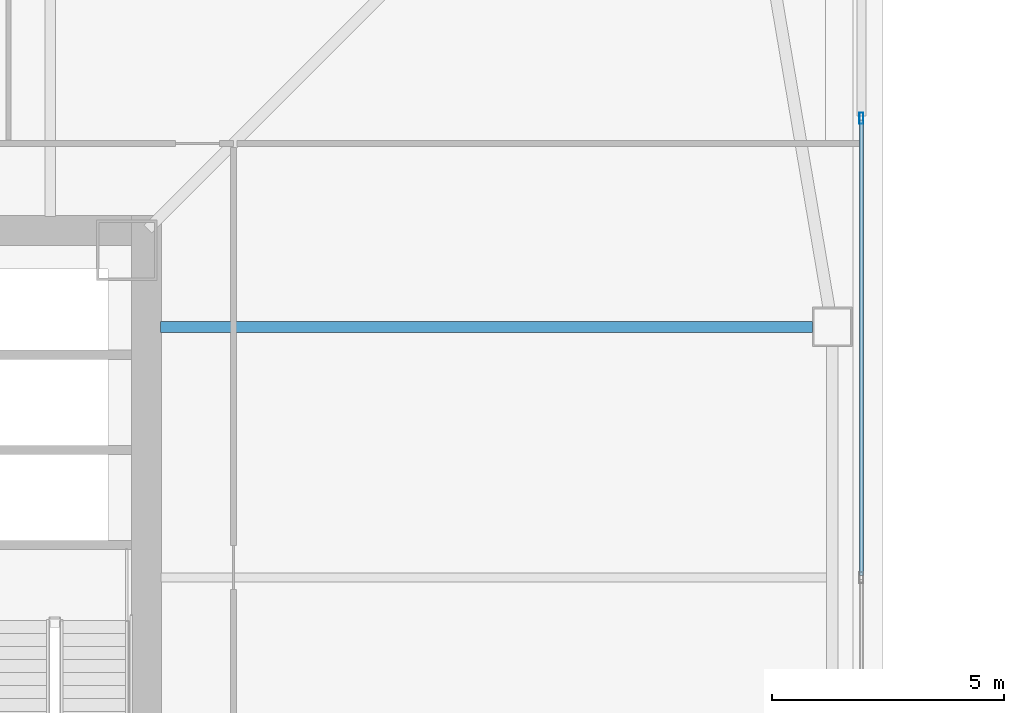
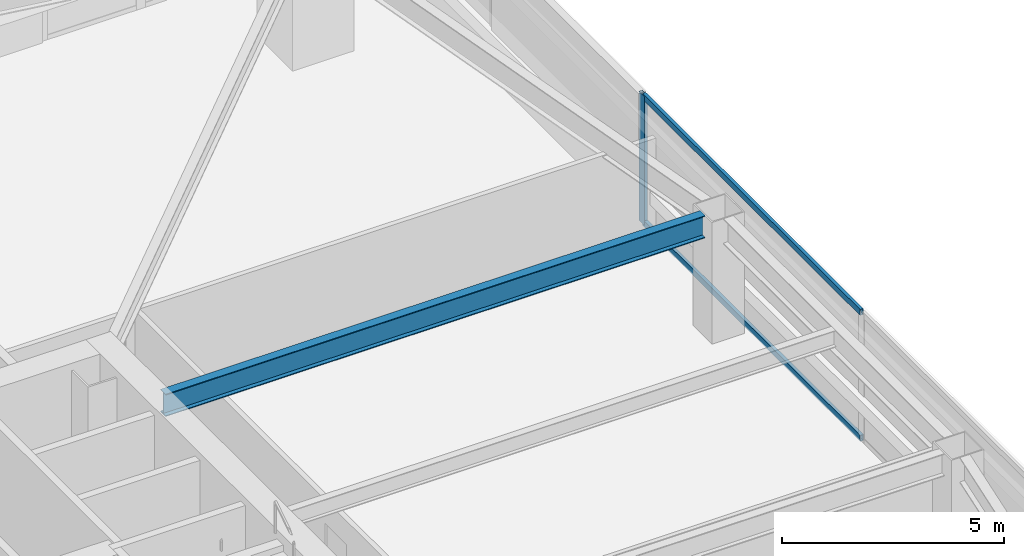
# One storey, part 17 of 51: 3 members, 1 beam, 1 element without a shape of its own.
"""IFC4 building model written with IfcOpenShell, lengths in metres."""

import ifcopenshell
import ifcopenshell.guid

model = None  # the IFC model being written
_history = None  # IfcOwnerHistory: only IFC2X3 demands one
_inside = {}  # id of a spatial element -> (the spatial element, [elements in it])
_under = {}  # id of a project, library or spatial element -> (it, [spatial elements below it])
_declared = {}  # id of a project -> (the project, [libraries it declares])
_typed = {}  # id of a type object -> (the type object, [elements of that type])
_made_of = {}  # id of a material, layer set ... -> (it, [elements and type objects made of it])


def new_model(schema):
    """Start an empty IFC model of exactly this schema.

    Asked for "IFC4X3", IfcOpenShell would pick the latest addendum, in which some entities
    have other attributes; the version numbers below select the first issue.
    IFC2X3 requires an IfcOwnerHistory on every rooted entity: one is made here for all.
    """
    global model, _history
    if schema == "IFC4X3":
        model = ifcopenshell.file(schema_version=(4, 3, 0, 0))
    else:
        model = ifcopenshell.file(schema=schema)
    _inside.clear()
    _under.clear()
    _declared.clear()
    _typed.clear()
    _made_of.clear()
    _history = None
    if model.schema == "IFC2X3":
        org = make("IfcOrganization", Name="unknown")
        user = make(
            "IfcPersonAndOrganization",
            ThePerson=make("IfcPerson", FamilyName="unknown"),
            TheOrganization=org,
        )
        app = make(
            "IfcApplication",
            ApplicationDeveloper=org,
            Version="unknown",
            ApplicationFullName="unknown",
            ApplicationIdentifier="unknown",
        )
        _history = make(
            "IfcOwnerHistory",
            OwningUser=user,
            OwningApplication=app,
            ChangeAction="ADDED",
            CreationDate=0,
        )
    return model


def make(cls, **values):
    """One entity of the class cls with the attributes given. An attribute that is None is left unset."""
    return model.create_entity(
        cls, **{name: value for name, value in values.items() if value is not None}
    )


def rooted(cls, **values):
    """An entity with a GlobalId (a new one), such as an element, a storey or a relation."""
    return make(cls, GlobalId=ifcopenshell.guid.new(), OwnerHistory=_history, **values)


def si_unit(unit_type, name, prefix=None):
    """IfcSIUnit, for example si_unit("LENGTHUNIT", "METRE", prefix="MILLI")."""
    return make("IfcSIUnit", UnitType=unit_type, Prefix=prefix, Name=name)


def assignment(units):
    """IfcUnitAssignment: the units of a project."""
    return None if units is None else make("IfcUnitAssignment", Units=units)


def point(xyz):
    """IfcCartesianPoint."""
    return None if xyz is None else make("IfcCartesianPoint", Coordinates=xyz)


def direction(xyz):
    """IfcDirection."""
    return None if xyz is None else make("IfcDirection", DirectionRatios=xyz)


def frame(location, z_axis=None, x_axis=None):
    """IfcAxis2Placement3D, a coordinate frame: its origin and axes. An axis left out is left unset."""
    return make(
        "IfcAxis2Placement3D",
        Location=point(location),
        Axis=direction(z_axis),
        RefDirection=direction(x_axis),
    )


def frame_2d(location, x_axis=None):
    """IfcAxis2Placement2D, a coordinate frame in the plane: its origin and x axis."""
    return make(
        "IfcAxis2Placement2D", Location=point(location), RefDirection=direction(x_axis)
    )


def origin():
    """The frame at (0, 0, 0) with its axes left unset."""
    return frame((0.0, 0.0, 0.0))


def origin_2d():
    """The frame at (0, 0) in the plane with its x axis left unset."""
    return frame_2d((0.0, 0.0))


def place(relative_to, where):
    """IfcLocalPlacement: puts the frame where relative to a parent placement (None: the world)."""
    return make(
        "IfcLocalPlacement", PlacementRelTo=relative_to, RelativePlacement=where
    )


def context(
    kind, dimensions, precision=None, world=None, true_north=None, identifier=None
):
    """IfcGeometricRepresentationContext, for example the 3D "Model" context."""
    return make(
        "IfcGeometricRepresentationContext",
        ContextIdentifier=identifier,
        ContextType=kind,
        CoordinateSpaceDimension=dimensions,
        Precision=precision,
        WorldCoordinateSystem=world,
        TrueNorth=true_north,
    )


def subcontext(parent, identifier, kind, view, scale=None):
    """IfcGeometricRepresentationSubContext, for example "Body" below "Model"."""
    return make(
        "IfcGeometricRepresentationSubContext",
        ContextIdentifier=identifier,
        ContextType=kind,
        ParentContext=parent,
        TargetScale=scale,
        TargetView=view,
    )


def project(units=None, contexts=None):
    """IfcProject with its units and contexts."""
    return rooted(
        "IfcProject",
        Name="project",
        RepresentationContexts=contexts,
        UnitsInContext=assignment(units),
    )


def spatial(cls, under=None, at=None, **own):
    """A site, building, storey or space (cls), placed at a placement, below another one or the project."""
    s = rooted(cls, ObjectPlacement=at, **own)
    if under is not None:
        _under.setdefault(under.id(), (under, []))[1].append(s)
    return s


def profile(cls, at=None, kind="AREA", **sizes):
    """A parametric profile (cls). Its sizes go by their IFC names, for example OverallWidth=200.0."""
    return make(cls, ProfileType=kind, Position=at, **sizes)


def hollow_rectangle(**sizes):
    """IfcRectangleHollowProfileDef."""
    return profile("IfcRectangleHollowProfileDef", **sizes)


def i_section(**sizes):
    """IfcIShapeProfileDef."""
    return profile("IfcIShapeProfileDef", **sizes)


def extrude(swept, where, along, depth):
    """IfcExtrudedAreaSolid: the profile swept, set in the frame where, extruded along a direction by depth."""
    return make(
        "IfcExtrudedAreaSolid",
        SweptArea=swept,
        Position=where,
        ExtrudedDirection=direction(along),
        Depth=depth,
    )


def shape(context_of_items, identifier, shape_type, items):
    """IfcShapeRepresentation: the items that make up one representation, for example the "Body"."""
    return make(
        "IfcShapeRepresentation",
        ContextOfItems=context_of_items,
        RepresentationIdentifier=identifier,
        RepresentationType=shape_type,
        Items=items,
    )


def material(Name=None, Category=None):
    """IfcMaterial."""
    return make("IfcMaterial", Name=Name, Category=Category)


def material_profile(
    of_material, cross_section, Name=None, Category=None, Priority=None
):
    """IfcMaterialProfile: a cross section and its material."""
    return make(
        "IfcMaterialProfile",
        Name=Name,
        Material=of_material,
        Profile=cross_section,
        Priority=Priority,
        Category=Category,
    )


def profile_set(profiles, Name=None, composite=None):
    """IfcMaterialProfileSet."""
    return make(
        "IfcMaterialProfileSet",
        Name=Name,
        MaterialProfiles=profiles,
        CompositeProfile=composite,
    )


def made_of(thing, what):
    """Note that an element or type object is made of a material, layer set ...; save() writes the relation."""
    if what is not None:
        _made_of.setdefault(what.id(), (what, []))[1].append(thing)
    return thing


def type_object(cls, material=None, **own):
    """A type object (cls), such as IfcWallType, which elements share."""
    return made_of(rooted(cls, **own), material)


def element(
    cls,
    number,
    at=None,
    inside=None,
    cuts=None,
    type_object=None,
    material=None,
    context=None,
    identifier="Body",
    shape_type=None,
    held_by="IfcProductDefinitionShape",
    body=None,
    shapes=None,
    **own,
):
    """One element of the class cls, such as IfcWall. Its Tag is "e" and its number.

    at: its placement. inside: the storey or other place that contains it. cuts: it is an
    opening in that element (IfcRelVoidsElement). A single representation is given by context,
    identifier, shape_type and body (its items); several are given by shapes. held_by: the class
    of the entity that holds the representations. save() writes the other relations.
    """
    e = rooted(cls, Tag="e%d" % number, ObjectPlacement=at, **own)
    if body is not None:
        shapes = [shape(context, identifier, shape_type, body)]
    if shapes is not None:
        e.Representation = make(held_by, Representations=shapes)
    if inside is not None:
        _inside.setdefault(inside.id(), (inside, []))[1].append(e)
    if cuts is not None:
        rooted(
            "IfcRelVoidsElement", RelatingBuildingElement=cuts, RelatedOpeningElement=e
        )
    if type_object is not None:
        _typed.setdefault(type_object.id(), (type_object, []))[1].append(e)
    return made_of(e, material)


def aggregate(whole, parts):
    """IfcRelAggregates: a whole, such as a stair, and the parts it consists of."""
    return rooted("IfcRelAggregates", RelatingObject=whole, RelatedObjects=parts)


def save(model, path):
    """Write the relations noted so far, then the file.

    IfcRelAggregates (storeys below a building ...), IfcRelContainedInSpatialStructure (elements
    in a storey), IfcRelDefinesByType, IfcRelAssociatesMaterial and IfcRelDeclares: one each for
    every whole, place, type object, material and project.
    """
    for whole, parts in _under.values():
        aggregate(whole, parts)
    for where, things in _inside.values():
        rooted(
            "IfcRelContainedInSpatialStructure",
            RelatedElements=things,
            RelatingStructure=where,
        )
    for kind, things in _typed.values():
        rooted("IfcRelDefinesByType", RelatedObjects=things, RelatingType=kind)
    for what, things in _made_of.values():
        rooted("IfcRelAssociatesMaterial", RelatedObjects=things, RelatingMaterial=what)
    for by, libraries in _declared.values():
        rooted("IfcRelDeclares", RelatingContext=by, RelatedDefinitions=libraries)
    model.write(path)


model = new_model("IFC4")

# Units and contexts
model_context = context("Model", 3, precision=1e-05, world=origin(), true_north=direction((0.0, 1.0)))
body_context = subcontext(model_context, "Body", "Model", "MODEL_VIEW")
ifc_project = project(units=[si_unit("LENGTHUNIT", "METRE"), si_unit("AREAUNIT", "SQUARE_METRE"), si_unit("VOLUMEUNIT", "CUBIC_METRE"), si_unit("PLANEANGLEUNIT", "RADIAN"), si_unit("MASSUNIT", "GRAM", prefix="KILO")], contexts=[model_context])

# Site, building, storey
site_placement = place(None, origin())
site = spatial("IfcSite", under=ifc_project, at=site_placement, CompositionType="ELEMENT")
building_placement = place(site_placement, origin())
building = spatial("IfcBuilding", under=site, at=building_placement, Name="Tashvorn Skyway Center", CompositionType="ELEMENT")
storey_placement = place(building_placement, frame((0.0, 0.0, 49.449951171875)))
storey = spatial("IfcBuildingStorey", under=building, at=storey_placement, Name="L12", CompositionType="ELEMENT", Elevation=49.449951171875)

# Beam
ifc_material_1 = material(Name="Steel ASTM A992 Grade 50", Category="steel")
ifc_material_profile_1 = material_profile(ifc_material_1, i_section(OverallWidth=0.22998046875, OverallDepth=0.616943359375, WebThickness=0.01318359375, FlangeThickness=0.022216796875, at=origin_2d()), Name="W24X94")
ifc_profile_set_1 = profile_set([ifc_material_profile_1], Name="Steel ASTM A992 Grade 50")
beam_type = type_object("IfcBeamType", Name="BM-BEAM-W24X94", PredefinedType="BEAM", material=ifc_profile_set_1)
beam_placement = place(storey_placement, frame((63.830078125, 37.39990234375, 3.04150390625), z_axis=(-1.0, 0.0, 0.0), x_axis=(0.0, -1.0, 0.0)))
element("IfcBeam", 1, at=beam_placement, inside=storey, type_object=beam_type, Name="Tower 1 L12 Primary Floor Girder FC-E2", PredefinedType="BEAM", context=body_context, shape_type="SweptSolid", body=[
    extrude(i_section(OverallWidth=0.22998046875, OverallDepth=0.616943359375, WebThickness=0.01318359375, FlangeThickness=0.022216796875, at=origin_2d()), origin(), (0.0, 0.0, 1.0), 14.050048828125),
])

# Curtain wall, members
ifc_material_2 = material(Name="Thermally broken bronze-anodized aluminium 6063-T6", Category="aluminium")
curtain_wall_type = type_object("IfcCurtainWallType", Name="CW-CW-Z1", PredefinedType="NOTDEFINED", material=ifc_material_2)
curtain_wall_placement = place(storey_placement, origin())
curtain_wall = element("IfcCurtainWall", 2, at=curtain_wall_placement, inside=storey, type_object=curtain_wall_type, Name="Tower 1 L12 East Unitised Curtain Wall Glazing Group 2", PredefinedType="NOTDEFINED")
ifc_material_profile_2 = material_profile(ifc_material_2, hollow_rectangle(XDim=0.0849609375, YDim=0.239990234375, WallThickness=0.0048828125, at=origin_2d()), Name="ALU-MULL-85x240")
ifc_profile_set_2 = profile_set([ifc_material_profile_2], Name="Thermally broken bronze-anodized aluminium 6063-T6")
member_type_1 = type_object("IfcMemberType", Name="CWM-CW-Z1", PredefinedType="MULLION", material=ifc_profile_set_2)
member_1_placement = place(storey_placement, frame((64.8798828125, 41.8974609375, 0.0), z_axis=(0.0, 0.0, 1.0), x_axis=(1.0, 0.0, 0.0)))
member_1 = element("IfcMember", 3, at=member_1_placement, type_object=member_type_1, Name="CW-Z1 mullion 1", PredefinedType="MULLION", context=body_context, shape_type="SweptSolid", body=[
    extrude(hollow_rectangle(XDim=0.0849609375, YDim=0.239990234375, WallThickness=0.0048828125, at=origin_2d()), origin(), (0.0, 0.0, 1.0), 3.550048828125),
])
ifc_material_profile_3 = material_profile(ifc_material_2, hollow_rectangle(XDim=0.0849609375, YDim=0.1650390625, WallThickness=0.0048828125, at=origin_2d()), Name="ALU-TRAN-85x165")
ifc_profile_set_3 = profile_set([ifc_material_profile_3], Name="Thermally broken bronze-anodized aluminium 6063-T6")
member_type_2 = type_object("IfcMemberType", Name="CWT-CW-Z1", PredefinedType="USERDEFINED", material=ifc_profile_set_3)
member_2_placement = place(storey_placement, frame((64.8798828125, 41.85498046875, 0.04248046875), z_axis=(0.0, -1.0, 0.0), x_axis=(1.0, 0.0, 0.0)))
member_2 = element("IfcMember", 4, at=member_2_placement, type_object=member_type_2, Name="CW-Z1 transom 1.1", ObjectType="TRANSOM", PredefinedType="USERDEFINED", context=body_context, shape_type="SweptSolid", body=[
    extrude(hollow_rectangle(XDim=0.0849609375, YDim=0.1650390625, WallThickness=0.0048828125, at=origin_2d()), origin(), (0.0, 0.0, 1.0), 9.8125),
])
member_3_placement = place(storey_placement, frame((64.8798828125, 41.85498046875, 3.507568359375), z_axis=(0.0, -1.0, 0.0), x_axis=(1.0, 0.0, 0.0)))
member_3 = element("IfcMember", 5, at=member_3_placement, type_object=member_type_2, Name="CW-Z1 transom 1.2", ObjectType="TRANSOM", PredefinedType="USERDEFINED", context=body_context, shape_type="SweptSolid", body=[
    extrude(hollow_rectangle(XDim=0.0849609375, YDim=0.1650390625, WallThickness=0.0048828125, at=origin_2d()), origin(), (0.0, 0.0, 1.0), 9.8125),
])
aggregate(curtain_wall, [member_1, member_2, member_3])

save(model, "model.ifc")
